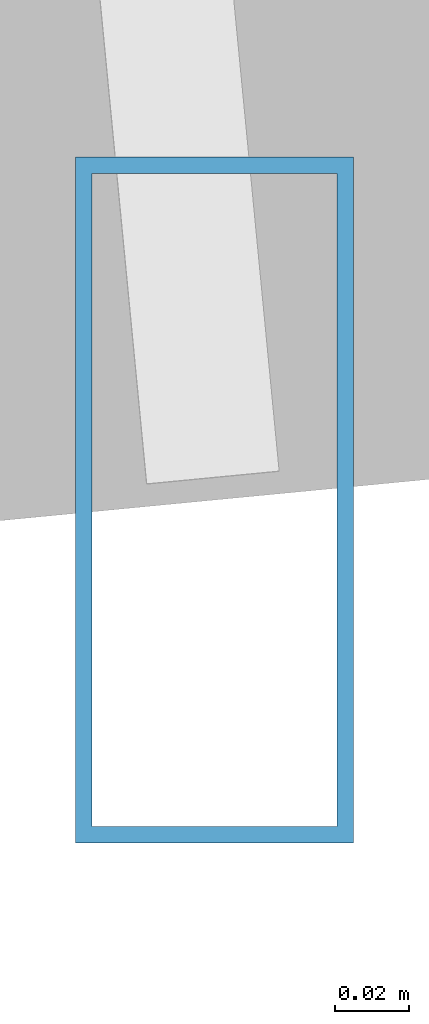
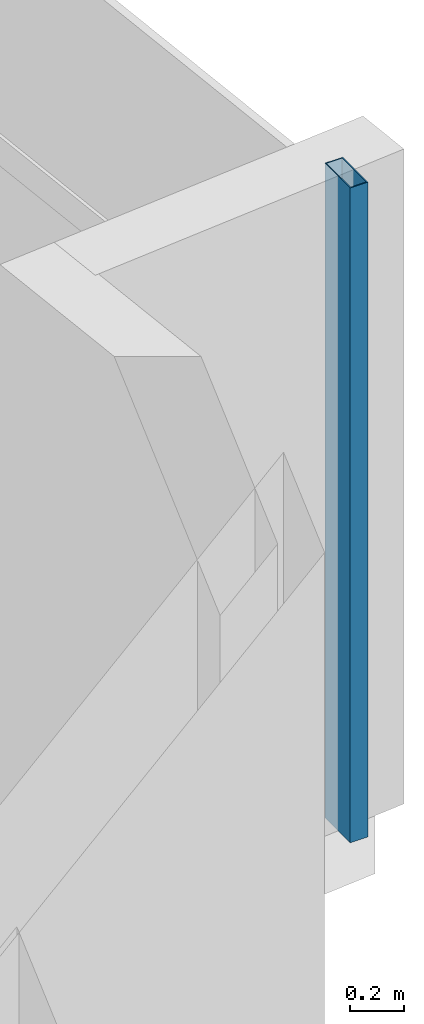
# One storey, part 14 of 27: 1 member, 1 element without a shape of its own.
"""IFC4 building model written with IfcOpenShell, lengths in metres."""

from ifc_helpers import new_model, si_unit, direction, frame, origin, origin_2d, place, context, subcontext, project, spatial, hollow_rectangle, extrude, source, transform, mapped, material, material_profile, profile_set, type_object, type_shapes, element, aggregate, save


model = new_model("IFC4")

# Units and contexts
model_context = context("Model", 3, precision=1e-05, world=origin(), true_north=direction((0.0, 1.0)))
body_context = subcontext(model_context, "Body", "Model", "MODEL_VIEW")
ifc_project = project(units=[si_unit("LENGTHUNIT", "METRE"), si_unit("AREAUNIT", "SQUARE_METRE"), si_unit("VOLUMEUNIT", "CUBIC_METRE"), si_unit("PLANEANGLEUNIT", "RADIAN"), si_unit("MASSUNIT", "GRAM", prefix="KILO")], contexts=[model_context])

# Site, building, storey
site_placement = place(None, origin())
site = spatial("IfcSite", under=ifc_project, at=site_placement, CompositionType="ELEMENT")
building_placement = place(site_placement, origin())
building = spatial("IfcBuilding", under=site, at=building_placement, Name="Astriad Promenade Condominiums", CompositionType="ELEMENT")
storey_placement = place(building_placement, frame((0.0, 0.0, 90.60009765625)))
storey = spatial("IfcBuildingStorey", under=building, at=storey_placement, Name="L25", CompositionType="ELEMENT", Elevation=90.60009765625)

# Curtain wall, member
ifc_material_1 = material(Name="Anodised aluminium Black Dark Glass Unitised", Category="aluminium")
curtain_wall_type = type_object("IfcCurtainWallType", Name="CW-B2-DARK", PredefinedType="USERDEFINED", material=ifc_material_1)
curtain_wall_placement = place(storey_placement, origin())
curtain_wall = element("IfcCurtainWall", 1, at=curtain_wall_placement, inside=storey, type_object=curtain_wall_type, Name="CW-L25-E", ObjectType="UNITISED_CURTAIN_WALL", PredefinedType="USERDEFINED")
ifc_material_2 = material(Name="Anodised aluminium 6063-T6 Black", Category="aluminium")
ifc_material_profile = material_profile(ifc_material_2, hollow_rectangle(XDim=0.074951171875, YDim=0.18505859375, WallThickness=0.00439453125, at=origin_2d()), Name="ALU-MUL-75X185")
ifc_profile_set = profile_set([ifc_material_profile], Name="Anodised aluminium 6063-T6 Black")
member_type = type_object("IfcMemberType", Name="MUL-ALU-MUL-75X185", PredefinedType="MULLION", material=ifc_profile_set)
shared_shape = source(origin(), body_context, "Body", "SweptSolid", [
    extrude(hollow_rectangle(XDim=0.074951171875, YDim=0.18505859375, WallThickness=0.00439453125, at=origin_2d()), origin(), (0.0, 0.0, 1.0), 2.93994140625),
])
type_shapes(member_type, [shared_shape])
member_placement = place(storey_placement, frame((69.4521484375, 11.67822265625, 0.0), z_axis=(0.0, 0.0, 1.0), x_axis=(1.0, 0.0, 0.0)))
member = element("IfcMember", 2, at=member_placement, type_object=member_type, Name="CW-L25-E-MUL-03", PredefinedType="MULLION", context=body_context, shape_type="MappedRepresentation", body=[
    mapped(shared_shape, transform((0.0, 0.0, 0.0), scale=1.0)),
])
aggregate(curtain_wall, [member])

save(model, "model.ifc")
